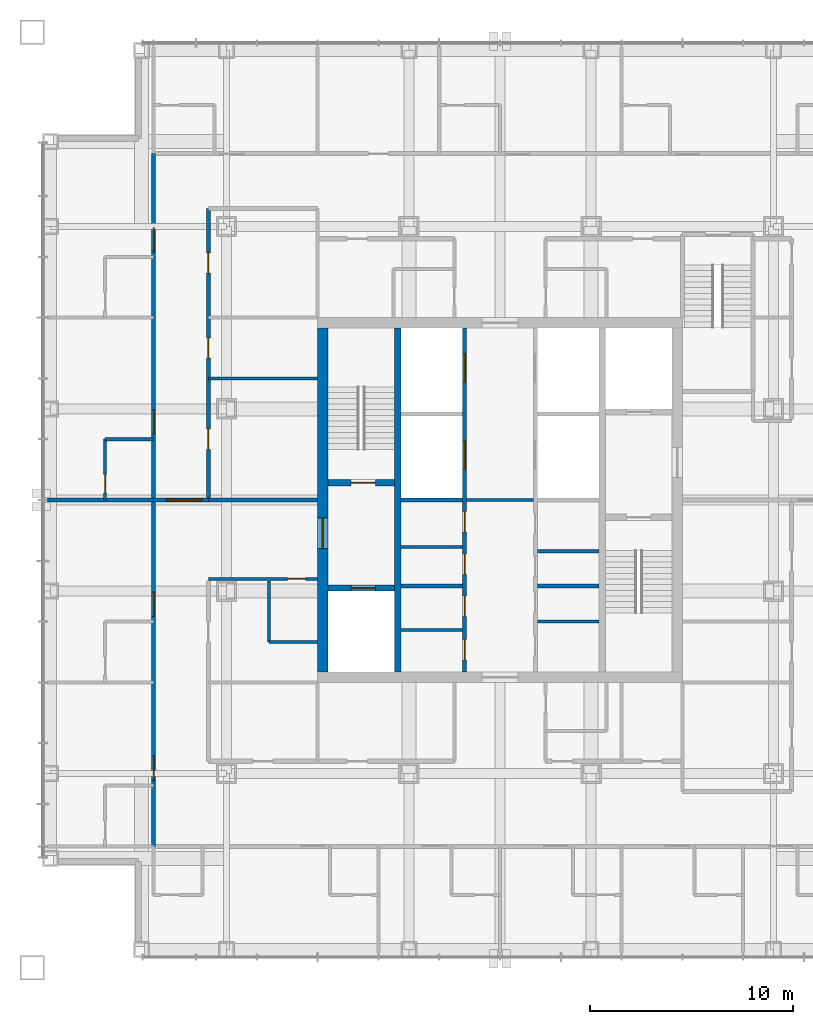
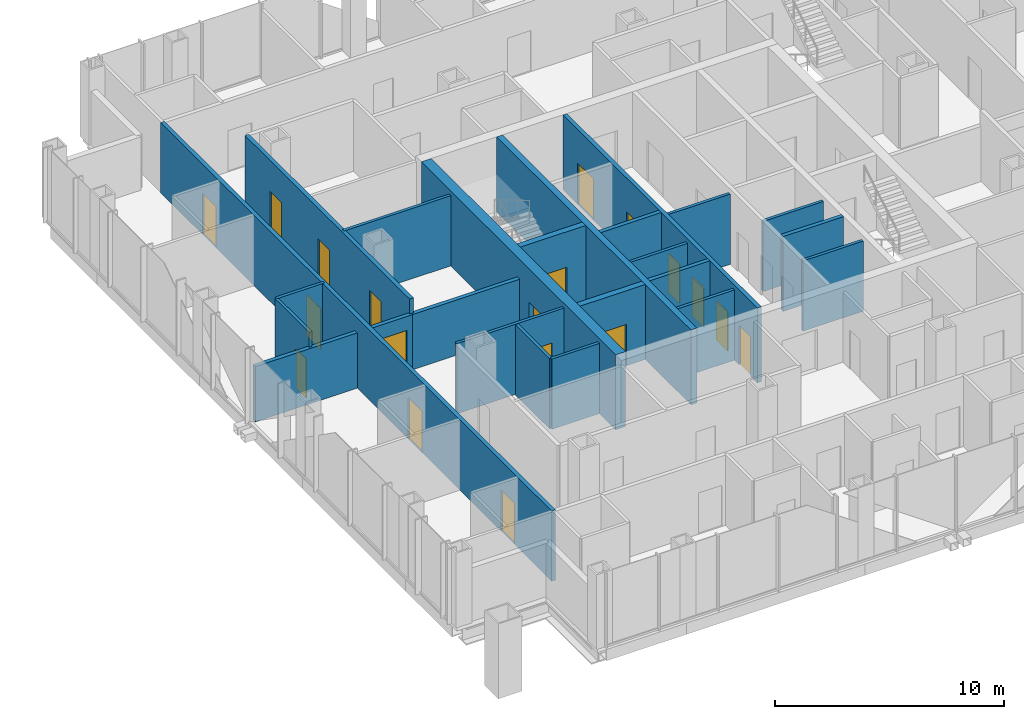
# One storey, part 13 of 17: 24 walls, 19 doors, 19 openings.
"""IFC4 building model written with IfcOpenShell, lengths in metres."""

from ifc_helpers import new_model, si_unit, direction, frame, frame_2d, origin, place, context, subcontext, project, spatial, rectangle, extrude, material, layer, layer_set, type_object, element, fill, save


model = new_model("IFC4")

# Units and contexts
model_context = context("Model", 3, precision=1e-05, world=origin(), true_north=direction((0.0, 1.0)))
body_context = subcontext(model_context, "Body", "Model", "MODEL_VIEW")
ifc_project = project(units=[si_unit("LENGTHUNIT", "METRE"), si_unit("AREAUNIT", "SQUARE_METRE"), si_unit("VOLUMEUNIT", "CUBIC_METRE"), si_unit("PLANEANGLEUNIT", "RADIAN"), si_unit("MASSUNIT", "GRAM", prefix="KILO")], contexts=[model_context])

# Site, building, storey
site_placement = place(None, origin())
site = spatial("IfcSite", under=ifc_project, at=site_placement, CompositionType="ELEMENT")
building_placement = place(site_placement, origin())
building = spatial("IfcBuilding", under=site, at=building_placement, Name="Malebo Sky Hospital", CompositionType="ELEMENT")
storey_placement = place(building_placement, frame((0.0, 0.0, 193.0)))
storey = spatial("IfcBuildingStorey", under=building, at=storey_placement, Name="L46", CompositionType="ELEMENT", Elevation=193.0)

# Wall, openings, doors
ifc_material_1 = material(Name="Concrete C80/95", Category="concrete")
ifc_layer_1 = layer(ifc_material_1, 0.199951171875)
ifc_layer_set_1 = layer_set([ifc_layer_1], Name="CORE INNER WALL 200")
wall_type_1 = type_object("IfcWallType", Name="CORE INNER WALL 200", PredefinedType="SHEAR", material=ifc_layer_set_1)
wall_1_placement = place(storey_placement, frame((58.25, 53.5, 0.0), z_axis=(0.0, 0.0, 1.0), x_axis=(0.0, 1.0, 0.0)))
wall_1 = element("IfcWall", 1, at=wall_1_placement, inside=storey, type_object=wall_type_1, Name="Core wall LW L46", PredefinedType="SHEAR", context=body_context, shape_type="SweptSolid", body=[
    extrude(rectangle(XDim=17.0, YDim=0.199951171875, at=frame_2d((8.5, 0.0))), origin(), (0.0, 0.0, 1.0), 4.0),
])
opening_1_placement = place(wall_1_placement, frame((0.60009765625, 0.0, 0.0)))
opening_1 = element("IfcOpeningElement", 2, at=opening_1_placement, cuts=wall_1, Name="Opening D17", PredefinedType="OPENING", context=body_context, shape_type="SweptSolid", body=[
    extrude(rectangle(XDim=1.0, YDim=2.10009765625, at=frame_2d((0.5, 1.050048828125))), frame((0.0, 0.10986328125, 0.0), z_axis=(0.0, -1.0, 0.0), x_axis=(1.0, 0.0, 0.0)), (0.0, 0.0, 1.0), 0.219970703125),
])
opening_2_placement = place(wall_1_placement, frame((2.75, 0.0, 0.0)))
opening_2 = element("IfcOpeningElement", 3, at=opening_2_placement, cuts=wall_1, Name="Opening D17", PredefinedType="OPENING", context=body_context, shape_type="SweptSolid", body=[
    extrude(rectangle(XDim=1.0, YDim=2.10009765625, at=frame_2d((0.5, 1.050048828125))), frame((0.0, 0.10986328125, 0.0), z_axis=(0.0, -1.0, 0.0), x_axis=(1.0, 0.0, 0.0)), (0.0, 0.0, 1.0), 0.219970703125),
])
opening_3_placement = place(wall_1_placement, frame((4.823974609375, 0.0, 0.0)))
opening_3 = element("IfcOpeningElement", 4, at=opening_3_placement, cuts=wall_1, Name="Opening D17", PredefinedType="OPENING", context=body_context, shape_type="SweptSolid", body=[
    extrude(rectangle(XDim=1.0, YDim=2.10009765625, at=frame_2d((0.5, 1.050048828125))), frame((0.0, 0.10986328125, 0.0), z_axis=(0.0, -1.0, 0.0), x_axis=(1.0, 0.0, 0.0)), (0.0, 0.0, 1.0), 0.219970703125),
])
opening_4_placement = place(wall_1_placement, frame((6.924072265625, 0.0, 0.0)))
opening_4 = element("IfcOpeningElement", 5, at=opening_4_placement, cuts=wall_1, Name="Opening D17", PredefinedType="OPENING", context=body_context, shape_type="SweptSolid", body=[
    extrude(rectangle(XDim=1.0, YDim=2.10009765625, at=frame_2d((0.5, 1.050048828125))), frame((0.0, 0.10986328125, 0.0), z_axis=(0.0, -1.0, 0.0), x_axis=(1.0, 0.0, 0.0)), (0.0, 0.0, 1.0), 0.219970703125),
])
opening_5_placement = place(wall_1_placement, frame((10.02490234375, 0.0, 0.0)))
opening_5 = element("IfcOpeningElement", 6, at=opening_5_placement, cuts=wall_1, Name="Opening LD1", PredefinedType="OPENING", context=body_context, shape_type="SweptSolid", body=[
    extrude(rectangle(XDim=1.39990234375, YDim=2.199951171875, at=frame_2d((0.699951171875, 1.10009765625))), frame((0.0, 0.10986328125, 0.0), z_axis=(0.0, -1.0, 0.0), x_axis=(1.0, 0.0, 0.0)), (0.0, 0.0, 1.0), 0.219970703125),
])
opening_6_placement = place(wall_1_placement, frame((14.324951171875, 0.0, 0.0)))
opening_6 = element("IfcOpeningElement", 7, at=opening_6_placement, cuts=wall_1, Name="Opening LD1", PredefinedType="OPENING", context=body_context, shape_type="SweptSolid", body=[
    extrude(rectangle(XDim=1.39990234375, YDim=2.199951171875, at=frame_2d((0.699951171875, 1.10009765625))), frame((0.0, 0.10986328125, 0.0), z_axis=(0.0, -1.0, 0.0), x_axis=(1.0, 0.0, 0.0)), (0.0, 0.0, 1.0), 0.219970703125),
])
ifc_material_2 = material(Name="Hardwood-faced door leaf in steel frame", Category="steel")
door_type_1 = type_object("IfcDoorType", Name="FIRE DOOR 1000", OperationType="SINGLE_SWING_LEFT", PredefinedType="DOOR", material=ifc_material_2)
door_1_placement = place(opening_1_placement, origin())
door_1 = element("IfcDoor", 8, at=door_1_placement, inside=storey, type_object=door_type_1, Name="Cleaning equipment store door", OperationType="SINGLE_SWING_RIGHT", OverallHeight=2.10009765625, OverallWidth=1.0, PredefinedType="DOOR", context=body_context, shape_type="SweptSolid", body=[
    extrude(rectangle(XDim=1.0, YDim=2.10009765625, at=frame_2d((0.5, 1.050048828125))), frame((0.0, 0.02490234375, 0.0), z_axis=(0.0, -1.0, 0.0), x_axis=(1.0, 0.0, 0.0)), (0.0, 0.0, 1.0), 0.050048828125),
])
fill(opening_1, door_1)
door_2_placement = place(opening_2_placement, origin())
door_2 = element("IfcDoor", 9, at=door_2_placement, inside=storey, type_object=door_type_1, Name="Archive store door", OperationType="SINGLE_SWING_RIGHT", OverallHeight=2.10009765625, OverallWidth=1.0, PredefinedType="DOOR", context=body_context, shape_type="SweptSolid", body=[
    extrude(rectangle(XDim=1.0, YDim=2.10009765625, at=frame_2d((0.5, 1.050048828125))), frame((0.0, 0.02490234375, 0.0), z_axis=(0.0, -1.0, 0.0), x_axis=(1.0, 0.0, 0.0)), (0.0, 0.0, 1.0), 0.050048828125),
])
fill(opening_2, door_2)
door_3_placement = place(opening_3_placement, origin())
door_3 = element("IfcDoor", 10, at=door_3_placement, inside=storey, type_object=door_type_1, Name="General store door", OperationType="SINGLE_SWING_RIGHT", OverallHeight=2.10009765625, OverallWidth=1.0, PredefinedType="DOOR", context=body_context, shape_type="SweptSolid", body=[
    extrude(rectangle(XDim=1.0, YDim=2.10009765625, at=frame_2d((0.5, 1.050048828125))), frame((0.0, 0.02490234375, 0.0), z_axis=(0.0, -1.0, 0.0), x_axis=(1.0, 0.0, 0.0)), (0.0, 0.0, 1.0), 0.050048828125),
])
fill(opening_3, door_3)
door_4_placement = place(opening_4_placement, origin())
door_4 = element("IfcDoor", 11, at=door_4_placement, inside=storey, type_object=door_type_1, Name="Records store door", OperationType="SINGLE_SWING_RIGHT", OverallHeight=2.10009765625, OverallWidth=1.0, PredefinedType="DOOR", context=body_context, shape_type="SweptSolid", body=[
    extrude(rectangle(XDim=1.0, YDim=2.10009765625, at=frame_2d((0.5, 1.050048828125))), frame((0.0, 0.02490234375, 0.0), z_axis=(0.0, -1.0, 0.0), x_axis=(1.0, 0.0, 0.0)), (0.0, 0.0, 1.0), 0.050048828125),
])
fill(opening_4, door_4)
ifc_material_3 = material(Name="Stainless steel sliding landing door", Category="steel")
door_type_2 = type_object("IfcDoorType", Name="LIFT LANDING DOOR 1400", OperationType="SLIDING_TO_LEFT", PredefinedType="DOOR", material=ifc_material_3)
door_5_placement = place(opening_5_placement, origin())
door_5 = element("IfcDoor", 12, at=door_5_placement, inside=storey, type_object=door_type_2, Name="Lift W3 landing door", OperationType="SLIDING_TO_LEFT", OverallHeight=2.199951171875, OverallWidth=1.39990234375, PredefinedType="DOOR", context=body_context, shape_type="SweptSolid", body=[
    extrude(rectangle(XDim=1.39990234375, YDim=2.199951171875, at=frame_2d((0.699951171875, 1.10009765625))), frame((0.0, 0.02490234375, 0.0), z_axis=(0.0, -1.0, 0.0), x_axis=(1.0, 0.0, 0.0)), (0.0, 0.0, 1.0), 0.050048828125),
])
fill(opening_5, door_5)
door_6_placement = place(opening_6_placement, origin())
door_6 = element("IfcDoor", 13, at=door_6_placement, inside=storey, type_object=door_type_2, Name="Lift W4 landing door", OperationType="SLIDING_TO_LEFT", OverallHeight=2.199951171875, OverallWidth=1.39990234375, PredefinedType="DOOR", context=body_context, shape_type="SweptSolid", body=[
    extrude(rectangle(XDim=1.39990234375, YDim=2.199951171875, at=frame_2d((0.699951171875, 1.10009765625))), frame((0.0, 0.02490234375, 0.0), z_axis=(0.0, -1.0, 0.0), x_axis=(1.0, 0.0, 0.0)), (0.0, 0.0, 1.0), 0.050048828125),
])
fill(opening_6, door_6)

# Walls
for number, where, z_axis, x_axis, name in (
    (14, (55.10009765625, 57.75, 0.0), (0.0, 0.0, 1.0), (1.0, 0.0, 0.0), "Core wall SW0 L46"),
    (15, (61.85009765625, 57.75, 0.0), (0.0, 0.0, 1.0), (1.0, 0.0, 0.0), "Core wall SE0 L46"),
    (16, (55.10009765625, 62.0, 0.0), (0.0, 0.0, 1.0), (1.0, 0.0, 0.0), "Core wall SW1 L46"),
):
    element("IfcWall", number, at=place(storey_placement, frame(where, z_axis=z_axis, x_axis=x_axis)), inside=storey, type_object=wall_type_1, Name=name, PredefinedType="SHEAR", context=body_context, shape_type="SweptSolid", body=[
        extrude(rectangle(XDim=3.0498046875, YDim=0.199951171875, at=frame_2d((1.52490234375, 0.0))), origin(), (0.0, 0.0, 1.0), 4.0),
    ])
ifc_layer_2 = layer(ifc_material_1, 0.300048828125)
ifc_layer_set_2 = layer_set([ifc_layer_2], Name="CORE INNER WALL 300")
wall_type_2 = type_object("IfcWallType", Name="CORE INNER WALL 300", PredefinedType="SHEAR", material=ifc_layer_set_2)
wall_2_placement = place(storey_placement, frame((54.949951171875, 53.5, 0.0), z_axis=(0.0, 0.0, 1.0), x_axis=(0.0, 1.0, 0.0)))
element("IfcWall", 17, at=wall_2_placement, inside=storey, type_object=wall_type_2, Name="Core wall XW L46", PredefinedType="SHEAR", context=body_context, shape_type="SweptSolid", body=[
    extrude(rectangle(XDim=17.0, YDim=0.300048828125, at=frame_2d((8.5, 0.0))), origin(), (0.0, 0.0, 1.0), 4.0),
])

# Wall, opening, door
wall_3_placement = place(storey_placement, frame((51.5, 62.85009765625, 0.0), z_axis=(0.0, 0.0, 1.0), x_axis=(1.0, 0.0, 0.0)))
wall_3 = element("IfcWall", 18, at=wall_3_placement, inside=storey, type_object=wall_type_2, Name="Core wall W1 L46", PredefinedType="SHEAR", context=body_context, shape_type="SweptSolid", body=[
    extrude(rectangle(XDim=3.300048828125, YDim=0.300048828125, at=frame_2d((1.64990234375, 0.0))), origin(), (0.0, 0.0, 1.0), 4.0),
])
opening_7_placement = place(wall_3_placement, frame((1.14990234375, 0.0, 0.0)))
opening_7 = element("IfcOpeningElement", 19, at=opening_7_placement, cuts=wall_3, Name="Opening D08", PredefinedType="OPENING", context=body_context, shape_type="SweptSolid", body=[
    extrude(rectangle(XDim=1.199951171875, YDim=2.10009765625, at=frame_2d((0.60009765625, 1.050048828125))), frame((0.0, 0.159912109375, 0.0), z_axis=(0.0, -1.0, 0.0), x_axis=(1.0, 0.0, 0.0)), (0.0, 0.0, 1.0), 0.320068359375),
])
door_type_3 = type_object("IfcDoorType", Name="STAIR DOOR 1200", OperationType="SINGLE_SWING_LEFT", PredefinedType="DOOR", material=ifc_material_2)
door_7_placement = place(opening_7_placement, origin())
door_7 = element("IfcDoor", 20, at=door_7_placement, inside=storey, type_object=door_type_3, Name="Stair S1 door", OperationType="SINGLE_SWING_RIGHT", OverallHeight=2.10009765625, OverallWidth=1.199951171875, PredefinedType="DOOR", context=body_context, shape_type="SweptSolid", body=[
    extrude(rectangle(XDim=1.199951171875, YDim=2.10009765625, at=frame_2d((0.60009765625, 1.050048828125))), frame((0.0, 0.02490234375, 0.0), z_axis=(0.0, -1.0, 0.0), x_axis=(1.0, 0.0, 0.0)), (0.0, 0.0, 1.0), 0.050048828125),
])
fill(opening_7, door_7)

wall_4_placement = place(storey_placement, frame((51.5, 57.64990234375, 0.0), z_axis=(0.0, 0.0, 1.0), x_axis=(1.0, 0.0, 0.0)))
wall_4 = element("IfcWall", 21, at=wall_4_placement, inside=storey, type_object=wall_type_2, Name="Core wall W2 L46", PredefinedType="SHEAR", context=body_context, shape_type="SweptSolid", body=[
    extrude(rectangle(XDim=3.300048828125, YDim=0.300048828125, at=frame_2d((1.64990234375, 0.0))), origin(), (0.0, 0.0, 1.0), 4.0),
])
opening_8_placement = place(wall_4_placement, frame((1.14990234375, 0.0, 0.0)))
opening_8 = element("IfcOpeningElement", 22, at=opening_8_placement, cuts=wall_4, Name="Opening LD2", PredefinedType="OPENING", context=body_context, shape_type="SweptSolid", body=[
    extrude(rectangle(XDim=1.199951171875, YDim=2.199951171875, at=frame_2d((0.60009765625, 1.10009765625))), frame((0.0, 0.159912109375, 0.0), z_axis=(0.0, -1.0, 0.0), x_axis=(1.0, 0.0, 0.0)), (0.0, 0.0, 1.0), 0.320068359375),
])
door_type_4 = type_object("IfcDoorType", Name="FIRE-FIGHTING LIFT LANDING DOOR 1200", OperationType="SLIDING_TO_LEFT", PredefinedType="DOOR", material=ifc_material_3)
door_8_placement = place(opening_8_placement, origin())
door_8 = element("IfcDoor", 23, at=door_8_placement, inside=storey, type_object=door_type_4, Name="Lift FL1 landing door", OperationType="SLIDING_TO_LEFT", OverallHeight=2.199951171875, OverallWidth=1.199951171875, PredefinedType="DOOR", context=body_context, shape_type="SweptSolid", body=[
    extrude(rectangle(XDim=1.199951171875, YDim=2.199951171875, at=frame_2d((0.60009765625, 1.10009765625))), frame((0.0, 0.02490234375, 0.0), z_axis=(0.0, -1.0, 0.0), x_axis=(1.0, 0.0, 0.0)), (0.0, 0.0, 1.0), 0.050048828125),
])
fill(opening_8, door_8)

ifc_layer_3 = layer(ifc_material_1, 0.5)
ifc_layer_set_3 = layer_set([ifc_layer_3], Name="CORE WALL 500")
wall_type_3 = type_object("IfcWallType", Name="CORE WALL 500", PredefinedType="SHEAR", material=ifc_layer_set_3)
wall_5_placement = place(storey_placement, frame((51.25, 53.5, 0.0), z_axis=(0.0, 0.0, 1.0), x_axis=(0.0, 1.0, 0.0)))
wall_5 = element("IfcWall", 24, at=wall_5_placement, inside=storey, type_object=wall_type_3, Name="Core wall W L46", PredefinedType="SHEAR", context=body_context, shape_type="SweptSolid", body=[
    extrude(rectangle(XDim=17.0, YDim=0.5, at=frame_2d((8.5, 0.0))), origin(), (0.0, 0.0, 1.0), 4.0),
])
opening_9_placement = place(wall_5_placement, frame((6.10009765625, 0.0, 0.0)))
opening_9 = element("IfcOpeningElement", 25, at=opening_9_placement, cuts=wall_5, Name="Opening D07", PredefinedType="OPENING", context=body_context, shape_type="SweptSolid", body=[
    extrude(rectangle(XDim=1.5, YDim=2.199951171875, at=frame_2d((0.75, 1.10009765625))), frame((0.0, 0.260009765625, 0.0), z_axis=(0.0, -1.0, 0.0), x_axis=(1.0, 0.0, 0.0)), (0.0, 0.0, 1.0), 0.52001953125),
])
door_type_5 = type_object("IfcDoorType", Name="FIRE-FIGHTING LOBBY DOOR PAIR 1500", OperationType="DOUBLE_DOOR_SINGLE_SWING", PredefinedType="DOOR", material=ifc_material_2)
door_9_placement = place(opening_9_placement, origin())
door_9 = element("IfcDoor", 26, at=door_9_placement, inside=storey, type_object=door_type_5, Name="Fire-fighting lobby door west", OperationType="DOUBLE_DOOR_SINGLE_SWING", OverallHeight=2.199951171875, OverallWidth=1.5, PredefinedType="DOOR", context=body_context, shape_type="SweptSolid", body=[
    extrude(rectangle(XDim=1.5, YDim=2.199951171875, at=frame_2d((0.75, 1.10009765625))), frame((0.0, 0.02490234375, 0.0), z_axis=(0.0, -1.0, 0.0), x_axis=(1.0, 0.0, 0.0)), (0.0, 0.0, 1.0), 0.050048828125),
])
fill(opening_9, door_9)

# Wall, openings, doors
ifc_material_4 = material(Name="Gypsum board on steel studs", Category="steel")
ifc_layer_4 = layer(ifc_material_4, 0.199951171875)
ifc_layer_set_4 = layer_set([ifc_layer_4], Name="CORRIDOR WALL 200")
wall_type_4 = type_object("IfcWallType", Name="CORRIDOR WALL 200", PredefinedType="PARTITIONING", material=ifc_layer_set_4)
wall_6_placement = place(storey_placement, frame((42.89990234375, 44.89990234375, 0.0), z_axis=(0.0, 0.0, 1.0), x_axis=(0.0, 1.0, 0.0)))
wall_6 = element("IfcWall", 27, at=wall_6_placement, inside=storey, type_object=wall_type_4, Name="Corridor Wall 200 WCO", PredefinedType="PARTITIONING", context=body_context, shape_type="SweptSolid", body=[
    extrude(rectangle(XDim=34.2001953125, YDim=0.199951171875, at=frame_2d((17.10009765625, 0.0))), origin(), (0.0, 0.0, 1.0), 3.75),
])
opening_10_placement = place(wall_6_placement, frame((3.25, 0.0, 0.0)))
opening_10 = element("IfcOpeningElement", 28, at=opening_10_placement, cuts=wall_6, Name="Opening D01", PredefinedType="OPENING", context=body_context, shape_type="SweptSolid", body=[
    extrude(rectangle(XDim=1.199951171875, YDim=2.199951171875, at=frame_2d((0.60009765625, 1.10009765625))), frame((0.0, 0.10986328125, 0.0), z_axis=(0.0, -1.0, 0.0), x_axis=(1.0, 0.0, 0.0)), (0.0, 0.0, 1.0), 0.219970703125),
])
opening_11_placement = place(wall_6_placement, frame((11.35009765625, 0.0, 0.0)))
opening_11 = element("IfcOpeningElement", 29, at=opening_11_placement, cuts=wall_6, Name="Opening D01", PredefinedType="OPENING", context=body_context, shape_type="SweptSolid", body=[
    extrude(rectangle(XDim=1.199951171875, YDim=2.199951171875, at=frame_2d((0.60009765625, 1.10009765625))), frame((0.0, 0.10986328125, 0.0), z_axis=(0.0, -1.0, 0.0), x_axis=(1.0, 0.0, 0.0)), (0.0, 0.0, 1.0), 0.219970703125),
])
opening_12_placement = place(wall_6_placement, frame((20.35009765625, 0.0, 0.0)))
opening_12 = element("IfcOpeningElement", 30, at=opening_12_placement, cuts=wall_6, Name="Opening D01", PredefinedType="OPENING", context=body_context, shape_type="SweptSolid", body=[
    extrude(rectangle(XDim=1.199951171875, YDim=2.199951171875, at=frame_2d((0.60009765625, 1.10009765625))), frame((0.0, 0.10986328125, 0.0), z_axis=(0.0, -1.0, 0.0), x_axis=(1.0, 0.0, 0.0)), (0.0, 0.0, 1.0), 0.219970703125),
])
opening_13_placement = place(wall_6_placement, frame((29.35009765625, 0.0, 0.0)))
opening_13 = element("IfcOpeningElement", 31, at=opening_13_placement, cuts=wall_6, Name="Opening D01", PredefinedType="OPENING", context=body_context, shape_type="SweptSolid", body=[
    extrude(rectangle(XDim=1.199951171875, YDim=2.199951171875, at=frame_2d((0.60009765625, 1.10009765625))), frame((0.0, 0.10986328125, 0.0), z_axis=(0.0, -1.0, 0.0), x_axis=(1.0, 0.0, 0.0)), (0.0, 0.0, 1.0), 0.219970703125),
])
door_type_6 = type_object("IfcDoorType", Name="BED DOOR 1200", OperationType="SINGLE_SWING_LEFT", PredefinedType="DOOR", material=ifc_material_2)
door_10_placement = place(opening_10_placement, origin())
door_10 = element("IfcDoor", 32, at=door_10_placement, inside=storey, type_object=door_type_6, Name="Two-bed room door", OperationType="SINGLE_SWING_LEFT", OverallHeight=2.199951171875, OverallWidth=1.199951171875, PredefinedType="DOOR", context=body_context, shape_type="SweptSolid", body=[
    extrude(rectangle(XDim=1.199951171875, YDim=2.199951171875, at=frame_2d((0.60009765625, 1.10009765625))), frame((0.0, 0.02490234375, 0.0), z_axis=(0.0, -1.0, 0.0), x_axis=(1.0, 0.0, 0.0)), (0.0, 0.0, 1.0), 0.050048828125),
])
fill(opening_10, door_10)
door_11_placement = place(opening_11_placement, origin())
door_11 = element("IfcDoor", 33, at=door_11_placement, inside=storey, type_object=door_type_6, Name="Two-bed room door", OperationType="SINGLE_SWING_LEFT", OverallHeight=2.199951171875, OverallWidth=1.199951171875, PredefinedType="DOOR", context=body_context, shape_type="SweptSolid", body=[
    extrude(rectangle(XDim=1.199951171875, YDim=2.199951171875, at=frame_2d((0.60009765625, 1.10009765625))), frame((0.0, 0.02490234375, 0.0), z_axis=(0.0, -1.0, 0.0), x_axis=(1.0, 0.0, 0.0)), (0.0, 0.0, 1.0), 0.050048828125),
])
fill(opening_11, door_11)
door_12_placement = place(opening_12_placement, origin())
door_12 = element("IfcDoor", 34, at=door_12_placement, inside=storey, type_object=door_type_6, Name="Two-bed room door", OperationType="SINGLE_SWING_LEFT", OverallHeight=2.199951171875, OverallWidth=1.199951171875, PredefinedType="DOOR", context=body_context, shape_type="SweptSolid", body=[
    extrude(rectangle(XDim=1.199951171875, YDim=2.199951171875, at=frame_2d((0.60009765625, 1.10009765625))), frame((0.0, 0.02490234375, 0.0), z_axis=(0.0, -1.0, 0.0), x_axis=(1.0, 0.0, 0.0)), (0.0, 0.0, 1.0), 0.050048828125),
])
fill(opening_12, door_12)
door_13_placement = place(opening_13_placement, origin())
door_13 = element("IfcDoor", 35, at=door_13_placement, inside=storey, type_object=door_type_6, Name="Two-bed room door", OperationType="SINGLE_SWING_LEFT", OverallHeight=2.199951171875, OverallWidth=1.199951171875, PredefinedType="DOOR", context=body_context, shape_type="SweptSolid", body=[
    extrude(rectangle(XDim=1.199951171875, YDim=2.199951171875, at=frame_2d((0.60009765625, 1.10009765625))), frame((0.0, 0.02490234375, 0.0), z_axis=(0.0, -1.0, 0.0), x_axis=(1.0, 0.0, 0.0)), (0.0, 0.0, 1.0), 0.050048828125),
])
fill(opening_13, door_13)

wall_7_placement = place(storey_placement, frame((45.60009765625, 62.0, 0.0), z_axis=(0.0, 0.0, 1.0), x_axis=(0.0, 1.0, 0.0)))
wall_7 = element("IfcWall", 36, at=wall_7_placement, inside=storey, type_object=wall_type_4, Name="Corridor Wall 200 WCI2", PredefinedType="PARTITIONING", context=body_context, shape_type="SweptSolid", body=[
    extrude(rectangle(XDim=14.39990234375, YDim=0.199951171875, at=frame_2d((7.199951171875, 0.0))), origin(), (0.0, 0.0, 1.0), 3.75),
])
opening_14_placement = place(wall_7_placement, frame((2.5, 0.0, 0.0)))
opening_14 = element("IfcOpeningElement", 37, at=opening_14_placement, cuts=wall_7, Name="Opening D03", PredefinedType="OPENING", context=body_context, shape_type="SweptSolid", body=[
    extrude(rectangle(XDim=1.0, YDim=2.10009765625, at=frame_2d((0.5, 1.050048828125))), frame((0.0, 0.10986328125, 0.0), z_axis=(0.0, -1.0, 0.0), x_axis=(1.0, 0.0, 0.0)), (0.0, 0.0, 1.0), 0.219970703125),
])
opening_15_placement = place(wall_7_placement, frame((7.0, 0.0, 0.0)))
opening_15 = element("IfcOpeningElement", 38, at=opening_15_placement, cuts=wall_7, Name="Opening D03", PredefinedType="OPENING", context=body_context, shape_type="SweptSolid", body=[
    extrude(rectangle(XDim=1.0, YDim=2.10009765625, at=frame_2d((0.5, 1.050048828125))), frame((0.0, 0.10986328125, 0.0), z_axis=(0.0, -1.0, 0.0), x_axis=(1.0, 0.0, 0.0)), (0.0, 0.0, 1.0), 0.219970703125),
])
opening_16_placement = place(wall_7_placement, frame((11.199951171875, 0.0, 0.0)))
opening_16 = element("IfcOpeningElement", 39, at=opening_16_placement, cuts=wall_7, Name="Opening D03", PredefinedType="OPENING", context=body_context, shape_type="SweptSolid", body=[
    extrude(rectangle(XDim=1.0, YDim=2.10009765625, at=frame_2d((0.5, 1.050048828125))), frame((0.0, 0.10986328125, 0.0), z_axis=(0.0, -1.0, 0.0), x_axis=(1.0, 0.0, 0.0)), (0.0, 0.0, 1.0), 0.219970703125),
])
door_type_7 = type_object("IfcDoorType", Name="ROOM DOOR 1000", OperationType="SINGLE_SWING_LEFT", PredefinedType="DOOR", material=ifc_material_2)
door_14_placement = place(opening_14_placement, origin())
door_14 = element("IfcDoor", 40, at=door_14_placement, inside=storey, type_object=door_type_7, Name="Staff rest room door", OperationType="SINGLE_SWING_LEFT", OverallHeight=2.10009765625, OverallWidth=1.0, PredefinedType="DOOR", context=body_context, shape_type="SweptSolid", body=[
    extrude(rectangle(XDim=1.0, YDim=2.10009765625, at=frame_2d((0.5, 1.050048828125))), frame((0.0, 0.02490234375, 0.0), z_axis=(0.0, -1.0, 0.0), x_axis=(1.0, 0.0, 0.0)), (0.0, 0.0, 1.0), 0.050048828125),
])
fill(opening_14, door_14)
door_15_placement = place(opening_15_placement, origin())
door_15 = element("IfcDoor", 41, at=door_15_placement, inside=storey, type_object=door_type_7, Name="Ward office door", OperationType="SINGLE_SWING_LEFT", OverallHeight=2.10009765625, OverallWidth=1.0, PredefinedType="DOOR", context=body_context, shape_type="SweptSolid", body=[
    extrude(rectangle(XDim=1.0, YDim=2.10009765625, at=frame_2d((0.5, 1.050048828125))), frame((0.0, 0.02490234375, 0.0), z_axis=(0.0, -1.0, 0.0), x_axis=(1.0, 0.0, 0.0)), (0.0, 0.0, 1.0), 0.050048828125),
])
fill(opening_15, door_15)
door_16_placement = place(opening_16_placement, origin())
door_16 = element("IfcDoor", 42, at=door_16_placement, inside=storey, type_object=door_type_7, Name="Staff base door", OperationType="SINGLE_SWING_RIGHT", OverallHeight=2.10009765625, OverallWidth=1.0, PredefinedType="DOOR", context=body_context, shape_type="SweptSolid", body=[
    extrude(rectangle(XDim=1.0, YDim=2.10009765625, at=frame_2d((0.5, 1.050048828125))), frame((0.0, 0.02490234375, 0.0), z_axis=(0.0, -1.0, 0.0), x_axis=(1.0, 0.0, 0.0)), (0.0, 0.0, 1.0), 0.050048828125),
])
fill(opening_16, door_16)

# Wall, opening, door
ifc_layer_5 = layer(ifc_material_4, 0.14990234375)
ifc_layer_set_5 = layer_set([ifc_layer_5], Name="PARTITION 150")
wall_type_5 = type_object("IfcWallType", Name="PARTITION 150", PredefinedType="PARTITIONING", material=ifc_layer_set_5)
wall_8_placement = place(storey_placement, frame((40.5, 62.0, 0.0), z_axis=(0.0, 0.0, 1.0), x_axis=(0.0, 1.0, 0.0)))
wall_8 = element("IfcWall", 43, at=wall_8_placement, inside=storey, type_object=wall_type_5, Name="Partition 150 WE2F", PredefinedType="PARTITIONING", context=body_context, shape_type="SweptSolid", body=[
    extrude(rectangle(XDim=3.0, YDim=0.14990234375, at=frame_2d((1.5, 0.0))), origin(), (0.0, 0.0, 1.0), 3.75),
])
opening_17_placement = place(wall_8_placement, frame((0.35009765625, 0.0, 0.0)))
opening_17 = element("IfcOpeningElement", 44, at=opening_17_placement, cuts=wall_8, Name="Opening D02", PredefinedType="OPENING", context=body_context, shape_type="SweptSolid", body=[
    extrude(rectangle(XDim=0.89990234375, YDim=2.10009765625, at=frame_2d((0.449951171875, 1.050048828125))), frame((0.0, 0.0849609375, 0.0), z_axis=(0.0, -1.0, 0.0), x_axis=(1.0, 0.0, 0.0)), (0.0, 0.0, 1.0), 0.169921875),
])
door_type_8 = type_object("IfcDoorType", Name="EN-SUITE DOOR 900", OperationType="SINGLE_SWING_LEFT", PredefinedType="DOOR", material=ifc_material_2)
door_17_placement = place(opening_17_placement, origin())
door_17 = element("IfcDoor", 45, at=door_17_placement, inside=storey, type_object=door_type_8, Name="En-suite door", OperationType="SINGLE_SWING_LEFT", OverallHeight=2.10009765625, OverallWidth=0.89990234375, PredefinedType="DOOR", context=body_context, shape_type="SweptSolid", body=[
    extrude(rectangle(XDim=0.89990234375, YDim=2.10009765625, at=frame_2d((0.449951171875, 1.050048828125))), frame((0.0, 0.02490234375, 0.0), z_axis=(0.0, -1.0, 0.0), x_axis=(1.0, 0.0, 0.0)), (0.0, 0.0, 1.0), 0.050048828125),
])
fill(opening_17, door_17)

# Wall
wall_9_placement = place(storey_placement, frame((42.89990234375, 65.0, 0.0), z_axis=(0.0, 0.0, 1.0), x_axis=(-1.0, 0.0, 0.0)))
element("IfcWall", 46, at=wall_9_placement, inside=storey, type_object=wall_type_5, Name="Partition 150 WE2S", PredefinedType="PARTITIONING", context=body_context, shape_type="SweptSolid", body=[
    extrude(rectangle(XDim=2.39990234375, YDim=0.14990234375, at=frame_2d((1.199951171875, 0.0))), origin(), (0.0, 0.0, 1.0), 3.75),
])

# Wall, opening, door
wall_10_placement = place(storey_placement, frame((51.0, 58.10009765625, 0.0), z_axis=(0.0, 0.0, 1.0), x_axis=(-1.0, 0.0, 0.0)))
wall_10 = element("IfcWall", 47, at=wall_10_placement, inside=storey, type_object=wall_type_5, Name="Partition 150 WSPA", PredefinedType="PARTITIONING", context=body_context, shape_type="SweptSolid", body=[
    extrude(rectangle(XDim=5.39990234375, YDim=0.14990234375, at=frame_2d((2.699951171875, 0.0))), origin(), (0.0, 0.0, 1.0), 3.75),
])
opening_18_placement = place(wall_10_placement, frame((0.60009765625, 0.0, 0.0)))
opening_18 = element("IfcOpeningElement", 48, at=opening_18_placement, cuts=wall_10, Name="Opening D04", PredefinedType="OPENING", context=body_context, shape_type="SweptSolid", body=[
    extrude(rectangle(XDim=0.89990234375, YDim=2.10009765625, at=frame_2d((0.449951171875, 1.050048828125))), frame((0.0, 0.0849609375, 0.0), z_axis=(0.0, -1.0, 0.0), x_axis=(1.0, 0.0, 0.0)), (0.0, 0.0, 1.0), 0.169921875),
])
door_type_9 = type_object("IfcDoorType", Name="ROOM DOOR 900", OperationType="SINGLE_SWING_LEFT", PredefinedType="DOOR", material=ifc_material_2)
door_18_placement = place(opening_18_placement, origin())
door_18 = element("IfcDoor", 49, at=door_18_placement, inside=storey, type_object=door_type_9, Name="Cleaner's room door", OperationType="SINGLE_SWING_LEFT", OverallHeight=2.10009765625, OverallWidth=0.89990234375, PredefinedType="DOOR", context=body_context, shape_type="SweptSolid", body=[
    extrude(rectangle(XDim=0.89990234375, YDim=2.10009765625, at=frame_2d((0.449951171875, 1.050048828125))), frame((0.0, 0.02490234375, 0.0), z_axis=(0.0, -1.0, 0.0), x_axis=(1.0, 0.0, 0.0)), (0.0, 0.0, 1.0), 0.050048828125),
])
fill(opening_18, door_18)

# Walls
wall_11_placement = place(storey_placement, frame((51.0, 68.0, 0.0), z_axis=(0.0, 0.0, 1.0), x_axis=(-1.0, 0.0, 0.0)))
element("IfcWall", 50, at=wall_11_placement, inside=storey, type_object=wall_type_5, Name="Partition 150 WSP+6.0", PredefinedType="PARTITIONING", context=body_context, shape_type="SweptSolid", body=[
    extrude(rectangle(XDim=5.39990234375, YDim=0.14990234375, at=frame_2d((2.699951171875, 0.0))), origin(), (0.0, 0.0, 1.0), 3.75),
])
wall_12_placement = place(storey_placement, frame((48.60009765625, 55.0, 0.0), z_axis=(0.0, 0.0, 1.0), x_axis=(0.0, 1.0, 0.0)))
element("IfcWall", 51, at=wall_12_placement, inside=storey, type_object=wall_type_5, Name="Partition 150 WSX0", PredefinedType="PARTITIONING", context=body_context, shape_type="SweptSolid", body=[
    extrude(rectangle(XDim=3.0, YDim=0.14990234375, at=frame_2d((1.5, 0.0))), origin(), (0.0, 0.0, 1.0), 3.75),
])
wall_13_placement = place(storey_placement, frame((51.0, 55.0, 0.0), z_axis=(0.0, 0.0, 1.0), x_axis=(-1.0, 0.0, 0.0)))
element("IfcWall", 52, at=wall_13_placement, inside=storey, type_object=wall_type_5, Name="Partition 150 WSY0", PredefinedType="PARTITIONING", context=body_context, shape_type="SweptSolid", body=[
    extrude(rectangle(XDim=2.39990234375, YDim=0.14990234375, at=frame_2d((1.199951171875, 0.0))), origin(), (0.0, 0.0, 1.0), 3.75),
])
for number, where, z_axis, x_axis, name in (
    (53, (55.10009765625, 55.574951171875, 0.0), (0.0, 0.0, 1.0), (1.0, 0.0, 0.0), "Partition 150 SHW1"),
    (54, (61.85009765625, 55.989990234375, 0.0), (0.0, 0.0, 1.0), (1.0, 0.0, 0.0), "Partition 150 SHE1"),
    (55, (55.10009765625, 59.673095703125, 0.0), (0.0, 0.0, 1.0), (1.0, 0.0, 0.0), "Partition 150 SHW2"),
    (56, (61.85009765625, 59.469970703125, 0.0), (0.0, 0.0, 1.0), (1.0, 0.0, 0.0), "Partition 150 SHE2"),
):
    element("IfcWall", number, at=place(storey_placement, frame(where, z_axis=z_axis, x_axis=x_axis)), inside=storey, type_object=wall_type_5, Name=name, PredefinedType="PARTITIONING", context=body_context, shape_type="SweptSolid", body=[
        extrude(rectangle(XDim=3.0498046875, YDim=0.14990234375, at=frame_2d((1.52490234375, 0.0))), origin(), (0.0, 0.0, 1.0), 3.75),
    ])
wall_14_placement = place(storey_placement, frame((58.35009765625, 62.0, 0.0), z_axis=(0.0, 0.0, 1.0), x_axis=(1.0, 0.0, 0.0)))
element("IfcWall", 57, at=wall_14_placement, inside=storey, type_object=wall_type_5, Name="Partition 150 LBS", PredefinedType="PARTITIONING", context=body_context, shape_type="SweptSolid", body=[
    extrude(rectangle(XDim=3.2998046875, YDim=0.14990234375, at=frame_2d((1.64990234375, 0.0))), origin(), (0.0, 0.0, 1.0), 3.75),
])
ifc_material_5 = material(Name="Concrete blockwork", Category="masonry")
ifc_layer_6 = layer(ifc_material_5, 0.199951171875)
ifc_layer_set_6 = layer_set([ifc_layer_6], Name="SMOKE BARRIER WALL 200")
wall_type_6 = type_object("IfcWallType", Name="SMOKE BARRIER WALL 200", PredefinedType="SOLIDWALL", material=ifc_layer_set_6)
wall_15_placement = place(storey_placement, frame((42.89990234375, 62.0, 0.0), z_axis=(0.0, 0.0, 1.0), x_axis=(-1.0, 0.0, 0.0)))
element("IfcWall", 58, at=wall_15_placement, inside=storey, type_object=wall_type_6, Name="Smoke Barrier Wall 200 WP+0.0", PredefinedType="SOLIDWALL", context=body_context, shape_type="SweptSolid", body=[
    extrude(rectangle(XDim=5.25, YDim=0.199951171875, at=frame_2d((2.625, 0.0))), origin(), (0.0, 0.0, 1.0), 2.949951171875),
])
wall_16_placement = place(storey_placement, frame((51.0, 62.0, 0.0), z_axis=(0.0, 0.0, 1.0), x_axis=(-1.0, 0.0, 0.0)))
element("IfcWall", 59, at=wall_16_placement, inside=storey, type_object=wall_type_6, Name="Smoke Barrier Wall 200 WSPB", PredefinedType="SOLIDWALL", context=body_context, shape_type="SweptSolid", body=[
    extrude(rectangle(XDim=5.39990234375, YDim=0.199951171875, at=frame_2d((2.699951171875, 0.0))), origin(), (0.0, 0.0, 1.0), 2.949951171875),
])

# Wall, opening, door
wall_17_placement = place(storey_placement, frame((45.60009765625, 62.0, 0.0), z_axis=(0.0, 0.0, 1.0), x_axis=(-1.0, 0.0, 0.0)))
wall_17 = element("IfcWall", 60, at=wall_17_placement, inside=storey, type_object=wall_type_6, Name="Smoke Barrier Wall 200 WSB", PredefinedType="SOLIDWALL", context=body_context, shape_type="SweptSolid", body=[
    extrude(rectangle(XDim=2.7001953125, YDim=0.199951171875, at=frame_2d((1.35009765625, 0.0))), origin(), (0.0, 0.0, 1.0), 2.949951171875),
])
opening_19_placement = place(wall_17_placement, frame((0.300048828125, 0.0, 0.0)))
opening_19 = element("IfcOpeningElement", 61, at=opening_19_placement, cuts=wall_17, Name="Opening D05", PredefinedType="OPENING", context=body_context, shape_type="SweptSolid", body=[
    extrude(rectangle(XDim=1.800048828125, YDim=2.199951171875, at=frame_2d((0.89990234375, 1.10009765625))), frame((0.0, 0.10986328125, 0.0), z_axis=(0.0, -1.0, 0.0), x_axis=(1.0, 0.0, 0.0)), (0.0, 0.0, 1.0), 0.219970703125),
])
door_type_10 = type_object("IfcDoorType", Name="SMOKE DOOR PAIR 1800", OperationType="DOUBLE_DOOR_DOUBLE_SWING", PredefinedType="DOOR", material=ifc_material_2)
door_19_placement = place(opening_19_placement, origin())
door_19 = element("IfcDoor", 62, at=door_19_placement, inside=storey, type_object=door_type_10, Name="Smoke compartment door pair", OperationType="DOUBLE_DOOR_DOUBLE_SWING", OverallHeight=2.199951171875, OverallWidth=1.800048828125, PredefinedType="DOOR", context=body_context, shape_type="SweptSolid", body=[
    extrude(rectangle(XDim=1.800048828125, YDim=2.199951171875, at=frame_2d((0.89990234375, 1.10009765625))), frame((0.0, 0.02490234375, 0.0), z_axis=(0.0, -1.0, 0.0), x_axis=(1.0, 0.0, 0.0)), (0.0, 0.0, 1.0), 0.050048828125),
])
fill(opening_19, door_19)

save(model, "model.ifc")
